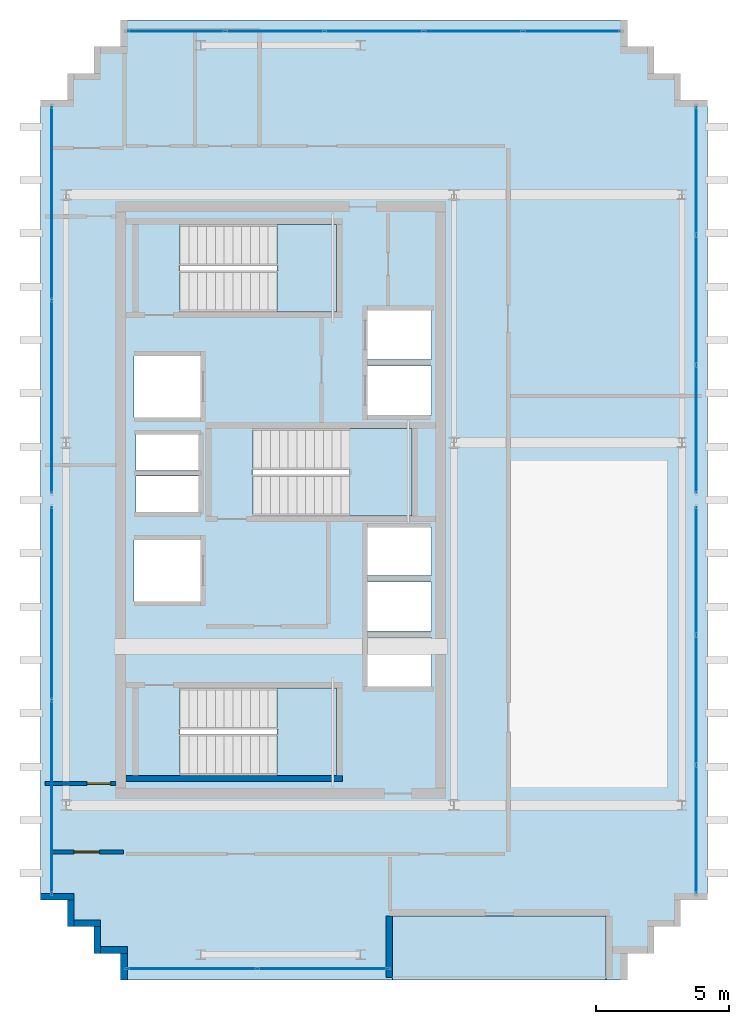
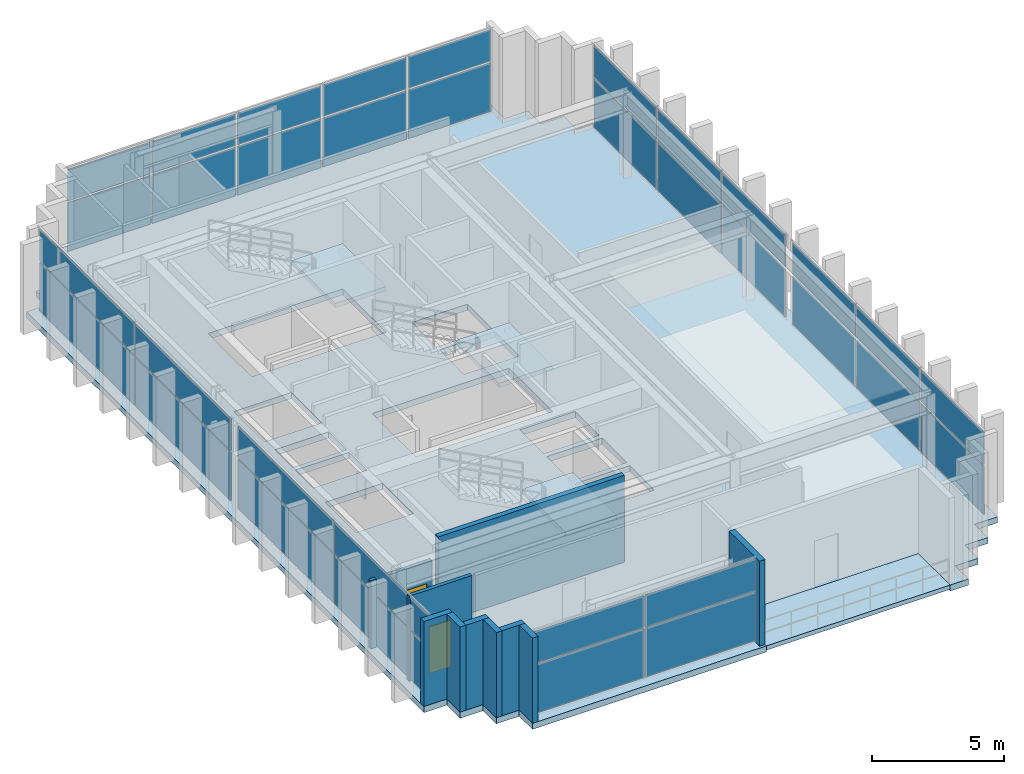
# One storey, part 10 of 14: 34 plates, 10 walls, 5 slabs, 2 doors, 2 openings, 9 elements without a shape of their own.
"""IFC4 building model written with IfcOpenShell, lengths in metres."""

from ifc_helpers import new_model, si_unit, direction, frame, frame_2d, origin, origin_2d, place, context, subcontext, project, spatial, polyline, rectangle, outline, extrude, source, transform, mapped, material, layer, layer_set, type_object, element, fill, aggregate, save


model = new_model("IFC4")

# Units and contexts
model_context = context("Model", 3, precision=1e-05, world=origin(), true_north=direction((0.0, 1.0)))
body_context = subcontext(model_context, "Body", "Model", "MODEL_VIEW")
ifc_project = project(units=[si_unit("LENGTHUNIT", "METRE"), si_unit("AREAUNIT", "SQUARE_METRE"), si_unit("VOLUMEUNIT", "CUBIC_METRE"), si_unit("PLANEANGLEUNIT", "RADIAN"), si_unit("MASSUNIT", "GRAM", prefix="KILO")], contexts=[model_context])

# Site, building, storey
site_placement = place(None, origin())
site = spatial("IfcSite", under=ifc_project, at=site_placement, CompositionType="ELEMENT")
building_placement = place(site_placement, origin())
building = spatial("IfcBuilding", under=site, at=building_placement, Name="Ocotamira Hotel", CompositionType="ELEMENT")
storey_placement = place(building_placement, frame((0.0, 0.0, 301.199951171875)))
storey = spatial("IfcBuildingStorey", under=building, at=storey_placement, Name="L77", CompositionType="ELEMENT", Elevation=301.199951171875)

# Slab
ifc_material_1 = material(Name="Concrete C40/50", Category="concrete")
ifc_layer_1 = layer(ifc_material_1, 0.199951171875)
ifc_layer_set_1 = layer_set([ifc_layer_1], Name="Concrete C40/50")
slab_type_1 = type_object("IfcSlabType", Name="SLB-BAL-200", PredefinedType="FLOOR", material=ifc_layer_set_1)
slab_1_placement = place(storey_placement, frame((0.0, 0.0, -0.199951171875)))
element("IfcSlab", 1, at=slab_1_placement, inside=storey, type_object=slab_type_1, Name="L77 Outdoor Sky Terrace Slab 1", PredefinedType="FLOOR", context=body_context, shape_type="SweptSolid", body=[
    extrude(outline(polyline([(21.199951171875, 8.0), (29.199951171875, 8.0), (29.199951171875, 10.39990234375), (21.199951171875, 10.39990234375), (21.199951171875, 8.0)])), origin(), (0.0, 0.0, 1.0), 0.199951171875),
])

# Stair, slab
stair_type = type_object("IfcStairType", Name="ST-CORE-1560", PredefinedType="HALF_TURN_STAIR", material=ifc_material_1)
stair_1_placement = place(storey_placement, origin())
stair_1 = element("IfcStair", 2, at=stair_1_placement, inside=storey, type_object=stair_type, Name="L77 Exit Stair ST-1", PredefinedType="HALF_TURN_STAIR")
ifc_layer_2 = layer(ifc_material_1, 0.199951171875)
ifc_layer_set_2 = layer_set([ifc_layer_2], Name="Concrete C40/50")
slab_type_2 = type_object("IfcSlabType", Name="SLB-LAND-200", PredefinedType="LANDING", material=ifc_layer_set_2)
slab_2_placement = place(storey_placement, frame((0.0, 0.0, 1.900146484375)))
slab_2 = element("IfcSlab", 3, at=slab_2_placement, type_object=slab_type_2, Name="ST-1 landing 1", PredefinedType="LANDING", context=body_context, shape_type="SweptSolid", body=[
    extrude(outline(polyline([(16.860107421875, 15.669921875), (19.090087890625, 15.669921875), (19.090087890625, 18.949951171875), (16.860107421875, 18.949951171875), (16.860107421875, 15.669921875)])), origin(), (0.0, 0.0, 1.0), 0.199951171875),
])
aggregate(stair_1, [slab_2])

stair_2_placement = place(storey_placement, origin())
stair_2 = element("IfcStair", 4, at=stair_2_placement, inside=storey, type_object=stair_type, Name="L77 Exit Stair ST-2", PredefinedType="HALF_TURN_STAIR")
slab_3_placement = place(storey_placement, frame((0.0, 0.0, 1.900146484375)))
slab_3 = element("IfcSlab", 5, at=slab_3_placement, type_object=slab_type_2, Name="ST-2 landing 1", PredefinedType="LANDING", context=body_context, shape_type="SweptSolid", body=[
    extrude(outline(polyline([(16.860107421875, 33.050048828125), (19.090087890625, 33.050048828125), (19.090087890625, 36.330078125), (16.860107421875, 36.330078125), (16.860107421875, 33.050048828125)])), origin(), (0.0, 0.0, 1.0), 0.199951171875),
])
aggregate(stair_2, [slab_3])

stair_3_placement = place(storey_placement, origin())
stair_3 = element("IfcStair", 6, at=stair_3_placement, inside=storey, type_object=stair_type, Name="L77 Exit Stair ST-3", PredefinedType="HALF_TURN_STAIR")
slab_4_placement = place(storey_placement, frame((0.0, 0.0, 1.900146484375)))
slab_4 = element("IfcSlab", 7, at=slab_4_placement, type_object=slab_type_2, Name="ST-3 landing 1", PredefinedType="LANDING", context=body_context, shape_type="SweptSolid", body=[
    extrude(outline(polyline([(19.590087890625, 25.39990234375), (21.919921875, 25.39990234375), (21.919921875, 28.679931640625), (19.590087890625, 28.679931640625), (19.590087890625, 25.39990234375)])), origin(), (0.0, 0.0, 1.0), 0.199951171875),
])
aggregate(stair_3, [slab_4])

# Slab
ifc_layer_3 = layer(ifc_material_1, 0.280029296875)
ifc_layer_set_3 = layer_set([ifc_layer_3], Name="Concrete C40/50")
slab_type_3 = type_object("IfcSlabType", Name="SLB-SKY-280", PredefinedType="FLOOR", material=ifc_layer_set_3)
slab_5_placement = place(storey_placement, frame((0.0, 0.0, -0.280029296875)))
element("IfcSlab", 8, at=slab_5_placement, inside=storey, type_object=slab_type_3, Name="L77 Structural Floor Slab", PredefinedType="FLOOR", context=body_context, shape_type="SweptSolid", body=[
    extrude(outline(polyline([(11.0, 8.0), (11.0, 9.0), (10.0, 9.0), (10.0, 10.0), (9.0, 10.0), (9.0, 11.0), (8.0, 11.0), (8.0, 41.0), (9.0, 41.0), (9.0, 42.0), (10.0, 42.0), (10.0, 43.0), (11.0, 43.0), (11.0, 44.0), (30.0, 44.0), (30.0, 43.0), (31.0, 43.0), (31.0, 42.0), (32.0, 42.0), (32.0, 41.0), (33.0, 41.0), (33.0, 11.0), (32.0, 11.0), (32.0, 10.0), (31.0, 10.0), (31.0, 9.0), (30.0, 9.0), (30.0, 8.0), (29.199951171875, 8.0), (29.199951171875, 10.39990234375), (21.199951171875, 10.39990234375), (21.199951171875, 8.0), (11.0, 8.0)]), holes=[polyline([(13.22998046875, 15.669921875), (19.090087890625, 15.669921875), (19.090087890625, 18.949951171875), (13.22998046875, 18.949951171875), (13.22998046875, 15.669921875)]), polyline([(13.22998046875, 33.050048828125), (19.090087890625, 33.050048828125), (19.090087890625, 36.330078125), (13.22998046875, 36.330078125), (13.22998046875, 33.050048828125)]), polyline([(15.9599609375, 25.39990234375), (21.919921875, 25.39990234375), (21.919921875, 28.679931640625), (15.9599609375, 28.679931640625), (15.9599609375, 25.39990234375)]), polyline([(20.25, 19.0), (22.659912109375, 19.0), (22.659912109375, 20.85009765625), (20.25, 20.85009765625), (20.25, 19.0)]), polyline([(20.25, 21.080078125), (22.659912109375, 21.080078125), (22.659912109375, 22.929931640625), (20.25, 22.929931640625), (20.25, 21.080078125)]), polyline([(20.25, 23.159912109375), (22.659912109375, 23.159912109375), (22.659912109375, 24.9599609375), (20.25, 24.9599609375), (20.25, 23.159912109375)]), polyline([(20.25, 29.179931640625), (22.659912109375, 29.179931640625), (22.659912109375, 31.030029296875), (20.25, 31.030029296875), (20.25, 29.179931640625)]), polyline([(20.25, 31.260009765625), (22.659912109375, 31.260009765625), (22.659912109375, 33.110107421875), (20.25, 33.110107421875), (20.25, 31.260009765625)]), polyline([(11.5, 22.199951171875), (14.0, 22.199951171875), (14.0, 24.5), (11.5, 24.5), (11.5, 22.199951171875)]), polyline([(11.5, 29.10009765625), (14.0, 29.10009765625), (14.0, 31.39990234375), (11.5, 31.39990234375), (11.5, 29.10009765625)]), polyline([(11.580078125, 25.550048828125), (13.919921875, 25.550048828125), (13.919921875, 26.89990234375), (11.580078125, 26.89990234375), (11.580078125, 25.550048828125)]), polyline([(11.580078125, 27.10009765625), (13.919921875, 27.10009765625), (13.919921875, 28.449951171875), (11.580078125, 28.449951171875), (11.580078125, 27.10009765625)])]), origin(), (0.0, 0.0, 1.0), 0.280029296875),
])

# Curtain wall, plates
ifc_material_2 = material(Name="Anodised pale-metal aluminium and solar glass", Category="aluminium")
ifc_layer_4 = layer(ifc_material_2, 0.2099609375)
ifc_layer_set_4 = layer_set([ifc_layer_4], Name="Anodised pale-metal aluminium and solar glass")
curtain_wall_type = type_object("IfcCurtainWallType", Name="CW-SYS7-PEAK", PredefinedType="NOTDEFINED", material=ifc_layer_set_4)
curtain_wall_1_placement = place(storey_placement, origin())
curtain_wall_1 = element("IfcCurtainWall", 9, at=curtain_wall_1_placement, inside=storey, type_object=curtain_wall_type, Name="L77 Curtain Wall CW-7 CW-L77-W1", PredefinedType="NOTDEFINED")
ifc_material_3 = material(Name="Double-silver low-E insulated solar glass", Category="glass")
ifc_layer_5 = layer(ifc_material_3, 0.031982421875)
ifc_layer_set_5 = layer_set([ifc_layer_5], Name="Double-silver low-E insulated solar glass")
plate_type = type_object("IfcPlateType", Name="CWP-VISION-32", PredefinedType="CURTAIN_PANEL", material=ifc_layer_set_5)
shared_shape_1 = source(origin(), body_context, "Body", "SweptSolid", [
    extrude(rectangle(XDim=7.179931640625, YDim=0.031982421875, at=origin_2d()), origin(), (0.0, 0.0, 1.0), 2.237548828125),
])
plate_1_placement = place(storey_placement, frame((8.419921875, 14.8701171875, 0.0751953125), z_axis=(0.0, 0.0, 1.0), x_axis=(0.0, 1.0, 0.0)))
plate_1 = element("IfcPlate", 10, at=plate_1_placement, type_object=plate_type, Name="CW-7 panel 1.1", PredefinedType="CURTAIN_PANEL", context=body_context, shape_type="MappedRepresentation", body=[
    mapped(shared_shape_1, transform((0.0, 0.0, 0.0), scale=1.0)),
])
plate_2_placement = place(storey_placement, frame((8.419921875, 22.1298828125, 0.0751953125), z_axis=(0.0, 0.0, 1.0), x_axis=(0.0, 1.0, 0.0)))
plate_2 = element("IfcPlate", 11, at=plate_2_placement, type_object=plate_type, Name="CW-7 panel 2.1", PredefinedType="CURTAIN_PANEL", context=body_context, shape_type="MappedRepresentation", body=[
    mapped(shared_shape_1, transform((0.0, 0.0, 0.0), scale=1.0)),
])

curtain_wall_2_placement = place(storey_placement, origin())
curtain_wall_2 = element("IfcCurtainWall", 12, at=curtain_wall_2_placement, inside=storey, type_object=curtain_wall_type, Name="L77 Curtain Wall CW-7 CW-L77-W2", PredefinedType="NOTDEFINED")
plate_3_placement = place(storey_placement, frame((8.419921875, 29.8701171875, 0.0751953125), z_axis=(0.0, 0.0, 1.0), x_axis=(0.0, 1.0, 0.0)))
plate_3 = element("IfcPlate", 13, at=plate_3_placement, type_object=plate_type, Name="CW-7 panel 1.1", PredefinedType="CURTAIN_PANEL", context=body_context, shape_type="MappedRepresentation", body=[
    mapped(shared_shape_1, transform((0.0, 0.0, 0.0), scale=1.0)),
])
plate_4_placement = place(storey_placement, frame((8.419921875, 37.1298828125, 0.0751953125), z_axis=(0.0, 0.0, 1.0), x_axis=(0.0, 1.0, 0.0)))
plate_4 = element("IfcPlate", 14, at=plate_4_placement, type_object=plate_type, Name="CW-7 panel 2.1", PredefinedType="CURTAIN_PANEL", context=body_context, shape_type="MappedRepresentation", body=[
    mapped(shared_shape_1, transform((0.0, 0.0, 0.0), scale=1.0)),
])

curtain_wall_3_placement = place(storey_placement, origin())
curtain_wall_3 = element("IfcCurtainWall", 15, at=curtain_wall_3_placement, inside=storey, type_object=curtain_wall_type, Name="L77 Curtain Wall CW-7 CW-L77-N", PredefinedType="NOTDEFINED")
shared_shape_2 = source(origin(), body_context, "Body", "SweptSolid", [
    extrude(rectangle(XDim=3.60009765625, YDim=0.031982421875, at=origin_2d()), origin(), (0.0, 0.0, 1.0), 2.237548828125),
])
plate_5_placement = place(storey_placement, frame((13.080078125, 43.580078125, 0.0751953125), z_axis=(0.0, 0.0, 1.0), x_axis=(1.0, 0.0, 0.0)))
plate_5 = element("IfcPlate", 16, at=plate_5_placement, type_object=plate_type, Name="CW-7 panel 1.1", PredefinedType="CURTAIN_PANEL", context=body_context, shape_type="MappedRepresentation", body=[
    mapped(shared_shape_2, transform((0.0, 0.0, 0.0), scale=1.0)),
])
plate_6_placement = place(storey_placement, frame((27.919921875, 43.580078125, 0.0751953125), z_axis=(0.0, 0.0, 1.0), x_axis=(1.0, 0.0, 0.0)))
plate_6 = element("IfcPlate", 17, at=plate_6_placement, type_object=plate_type, Name="CW-7 panel 5.1", PredefinedType="CURTAIN_PANEL", context=body_context, shape_type="MappedRepresentation", body=[
    mapped(shared_shape_2, transform((0.0, 0.0, 0.0), scale=1.0)),
])
shared_shape_3 = source(origin(), body_context, "Body", "SweptSolid", [
    extrude(rectangle(XDim=3.639892578125, YDim=0.031982421875, at=origin_2d()), origin(), (0.0, 0.0, 1.0), 2.237548828125),
])
plate_7_placement = place(storey_placement, frame((16.780029296875, 43.580078125, 0.0751953125), z_axis=(0.0, 0.0, 1.0), x_axis=(1.0, 0.0, 0.0)))
plate_7 = element("IfcPlate", 18, at=plate_7_placement, type_object=plate_type, Name="CW-7 panel 2.1", PredefinedType="CURTAIN_PANEL", context=body_context, shape_type="MappedRepresentation", body=[
    mapped(shared_shape_3, transform((0.0, 0.0, 0.0), scale=1.0)),
])
plate_8_placement = place(storey_placement, frame((20.5, 43.580078125, 0.0751953125), z_axis=(0.0, 0.0, 1.0), x_axis=(1.0, 0.0, 0.0)))
plate_8 = element("IfcPlate", 19, at=plate_8_placement, type_object=plate_type, Name="CW-7 panel 3.1", PredefinedType="CURTAIN_PANEL", context=body_context, shape_type="MappedRepresentation", body=[
    mapped(shared_shape_3, transform((0.0, 0.0, 0.0), scale=1.0)),
])
plate_9_placement = place(storey_placement, frame((24.219970703125, 43.580078125, 0.0751953125), z_axis=(0.0, 0.0, 1.0), x_axis=(1.0, 0.0, 0.0)))
plate_9 = element("IfcPlate", 20, at=plate_9_placement, type_object=plate_type, Name="CW-7 panel 4.1", PredefinedType="CURTAIN_PANEL", context=body_context, shape_type="MappedRepresentation", body=[
    mapped(shared_shape_3, transform((0.0, 0.0, 0.0), scale=1.0)),
])

curtain_wall_4_placement = place(storey_placement, origin())
curtain_wall_4 = element("IfcCurtainWall", 21, at=curtain_wall_4_placement, inside=storey, type_object=curtain_wall_type, Name="L77 Curtain Wall CW-7 CW-L77-E1", PredefinedType="NOTDEFINED")
shared_shape_4 = source(origin(), body_context, "Body", "SweptSolid", [
    extrude(rectangle(XDim=4.74658203125, YDim=0.031982421875, at=origin_2d()), origin(), (0.0, 0.0, 1.0), 2.237548828125),
])
plate_10_placement = place(storey_placement, frame((32.580078125, 13.6533203125, 0.0751953125), z_axis=(0.0, 0.0, 1.0), x_axis=(0.0, 1.0, 0.0)))
plate_10 = element("IfcPlate", 22, at=plate_10_placement, type_object=plate_type, Name="CW-7 panel 1.1", PredefinedType="CURTAIN_PANEL", context=body_context, shape_type="MappedRepresentation", body=[
    mapped(shared_shape_4, transform((0.0, 0.0, 0.0), scale=1.0)),
])
plate_11_placement = place(storey_placement, frame((32.580078125, 23.3466796875, 0.0751953125), z_axis=(0.0, 0.0, 1.0), x_axis=(0.0, 1.0, 0.0)))
plate_11 = element("IfcPlate", 23, at=plate_11_placement, type_object=plate_type, Name="CW-7 panel 3.1", PredefinedType="CURTAIN_PANEL", context=body_context, shape_type="MappedRepresentation", body=[
    mapped(shared_shape_4, transform((0.0, 0.0, 0.0), scale=1.0)),
])

curtain_wall_5_placement = place(storey_placement, origin())
curtain_wall_5 = element("IfcCurtainWall", 24, at=curtain_wall_5_placement, inside=storey, type_object=curtain_wall_type, Name="L77 Curtain Wall CW-7 CW-L77-E2", PredefinedType="NOTDEFINED")
plate_12_placement = place(storey_placement, frame((32.580078125, 28.6533203125, 0.0751953125), z_axis=(0.0, 0.0, 1.0), x_axis=(0.0, 1.0, 0.0)))
plate_12 = element("IfcPlate", 25, at=plate_12_placement, type_object=plate_type, Name="CW-7 panel 1.1", PredefinedType="CURTAIN_PANEL", context=body_context, shape_type="MappedRepresentation", body=[
    mapped(shared_shape_4, transform((0.0, 0.0, 0.0), scale=1.0)),
])
plate_13_placement = place(storey_placement, frame((32.580078125, 38.3466796875, 0.0751953125), z_axis=(0.0, 0.0, 1.0), x_axis=(0.0, 1.0, 0.0)))
plate_13 = element("IfcPlate", 26, at=plate_13_placement, type_object=plate_type, Name="CW-7 panel 3.1", PredefinedType="CURTAIN_PANEL", context=body_context, shape_type="MappedRepresentation", body=[
    mapped(shared_shape_4, transform((0.0, 0.0, 0.0), scale=1.0)),
])

# Plate
shared_shape_5 = source(origin(), body_context, "Body", "SweptSolid", [
    extrude(rectangle(XDim=4.78662109375, YDim=0.031982421875, at=origin_2d()), origin(), (0.0, 0.0, 1.0), 2.237548828125),
])
plate_14_placement = place(storey_placement, frame((32.580078125, 18.5, 0.0751953125), z_axis=(0.0, 0.0, 1.0), x_axis=(0.0, 1.0, 0.0)))
plate_14 = element("IfcPlate", 27, at=plate_14_placement, type_object=plate_type, Name="CW-7 panel 2.1", PredefinedType="CURTAIN_PANEL", context=body_context, shape_type="MappedRepresentation", body=[
    mapped(shared_shape_5, transform((0.0, 0.0, 0.0), scale=1.0)),
])

plate_15_placement = place(storey_placement, frame((32.580078125, 33.5, 0.0751953125), z_axis=(0.0, 0.0, 1.0), x_axis=(0.0, 1.0, 0.0)))
plate_15 = element("IfcPlate", 28, at=plate_15_placement, type_object=plate_type, Name="CW-7 panel 2.1", PredefinedType="CURTAIN_PANEL", context=body_context, shape_type="MappedRepresentation", body=[
    mapped(shared_shape_5, transform((0.0, 0.0, 0.0), scale=1.0)),
])

# Curtain wall, plates
curtain_wall_6_placement = place(storey_placement, origin())
curtain_wall_6 = element("IfcCurtainWall", 29, at=curtain_wall_6_placement, inside=storey, type_object=curtain_wall_type, Name="L77 Curtain Wall CW-7 CW-L77-S1", PredefinedType="NOTDEFINED")
shared_shape_6 = source(origin(), body_context, "Body", "SweptSolid", [
    extrude(rectangle(XDim=4.804931640625, YDim=0.031982421875, at=origin_2d()), origin(), (0.0, 0.0, 1.0), 2.237548828125),
])
plate_16_placement = place(storey_placement, frame((13.6826171875, 8.419921875, 0.0751953125), z_axis=(0.0, 0.0, 1.0), x_axis=(1.0, 0.0, 0.0)))
plate_16 = element("IfcPlate", 30, at=plate_16_placement, type_object=plate_type, Name="CW-7 panel 1.1", PredefinedType="CURTAIN_PANEL", context=body_context, shape_type="MappedRepresentation", body=[
    mapped(shared_shape_6, transform((0.0, 0.0, 0.0), scale=1.0)),
])
plate_17_placement = place(storey_placement, frame((18.5673828125, 8.419921875, 0.0751953125), z_axis=(0.0, 0.0, 1.0), x_axis=(1.0, 0.0, 0.0)))
plate_17 = element("IfcPlate", 31, at=plate_17_placement, type_object=plate_type, Name="CW-7 panel 2.1", PredefinedType="CURTAIN_PANEL", context=body_context, shape_type="MappedRepresentation", body=[
    mapped(shared_shape_6, transform((0.0, 0.0, 0.0), scale=1.0)),
])
shared_shape_7 = source(origin(), body_context, "Body", "SweptSolid", [
    extrude(rectangle(XDim=4.804931640625, YDim=0.031982421875, at=origin_2d()), origin(), (0.0, 0.0, 1.0), 1.45751953125),
])
plate_18_placement = place(storey_placement, frame((13.6826171875, 8.419921875, 2.387451171875), z_axis=(0.0, 0.0, 1.0), x_axis=(1.0, 0.0, 0.0)))
plate_18 = element("IfcPlate", 32, at=plate_18_placement, type_object=plate_type, Name="CW-7 panel 1.2", PredefinedType="CURTAIN_PANEL", context=body_context, shape_type="MappedRepresentation", body=[
    mapped(shared_shape_7, transform((0.0, 0.0, 0.0), scale=1.0)),
])
plate_19_placement = place(storey_placement, frame((18.5673828125, 8.419921875, 2.387451171875), z_axis=(0.0, 0.0, 1.0), x_axis=(1.0, 0.0, 0.0)))
plate_19 = element("IfcPlate", 33, at=plate_19_placement, type_object=plate_type, Name="CW-7 panel 2.2", PredefinedType="CURTAIN_PANEL", context=body_context, shape_type="MappedRepresentation", body=[
    mapped(shared_shape_7, transform((0.0, 0.0, 0.0), scale=1.0)),
])
aggregate(curtain_wall_6, [plate_16, plate_18, plate_17, plate_19])

# Plate
shared_shape_8 = source(origin(), body_context, "Body", "SweptSolid", [
    extrude(rectangle(XDim=3.60009765625, YDim=0.031982421875, at=origin_2d()), origin(), (0.0, 0.0, 1.0), 1.45751953125),
])
plate_20_placement = place(storey_placement, frame((13.080078125, 43.580078125, 2.387451171875), z_axis=(0.0, 0.0, 1.0), x_axis=(1.0, 0.0, 0.0)))
plate_20 = element("IfcPlate", 34, at=plate_20_placement, type_object=plate_type, Name="CW-7 panel 1.2", PredefinedType="CURTAIN_PANEL", context=body_context, shape_type="MappedRepresentation", body=[
    mapped(shared_shape_8, transform((0.0, 0.0, 0.0), scale=1.0)),
])

plate_21_placement = place(storey_placement, frame((27.919921875, 43.580078125, 2.387451171875), z_axis=(0.0, 0.0, 1.0), x_axis=(1.0, 0.0, 0.0)))
plate_21 = element("IfcPlate", 35, at=plate_21_placement, type_object=plate_type, Name="CW-7 panel 5.2", PredefinedType="CURTAIN_PANEL", context=body_context, shape_type="MappedRepresentation", body=[
    mapped(shared_shape_8, transform((0.0, 0.0, 0.0), scale=1.0)),
])

shared_shape_9 = source(origin(), body_context, "Body", "SweptSolid", [
    extrude(rectangle(XDim=3.639892578125, YDim=0.031982421875, at=origin_2d()), origin(), (0.0, 0.0, 1.0), 1.45751953125),
])
plate_22_placement = place(storey_placement, frame((16.780029296875, 43.580078125, 2.387451171875), z_axis=(0.0, 0.0, 1.0), x_axis=(1.0, 0.0, 0.0)))
plate_22 = element("IfcPlate", 36, at=plate_22_placement, type_object=plate_type, Name="CW-7 panel 2.2", PredefinedType="CURTAIN_PANEL", context=body_context, shape_type="MappedRepresentation", body=[
    mapped(shared_shape_9, transform((0.0, 0.0, 0.0), scale=1.0)),
])

plate_23_placement = place(storey_placement, frame((20.5, 43.580078125, 2.387451171875), z_axis=(0.0, 0.0, 1.0), x_axis=(1.0, 0.0, 0.0)))
plate_23 = element("IfcPlate", 37, at=plate_23_placement, type_object=plate_type, Name="CW-7 panel 3.2", PredefinedType="CURTAIN_PANEL", context=body_context, shape_type="MappedRepresentation", body=[
    mapped(shared_shape_9, transform((0.0, 0.0, 0.0), scale=1.0)),
])

plate_24_placement = place(storey_placement, frame((24.219970703125, 43.580078125, 2.387451171875), z_axis=(0.0, 0.0, 1.0), x_axis=(1.0, 0.0, 0.0)))
plate_24 = element("IfcPlate", 38, at=plate_24_placement, type_object=plate_type, Name="CW-7 panel 4.2", PredefinedType="CURTAIN_PANEL", context=body_context, shape_type="MappedRepresentation", body=[
    mapped(shared_shape_9, transform((0.0, 0.0, 0.0), scale=1.0)),
])

aggregate(curtain_wall_3, [plate_5, plate_20, plate_7, plate_22, plate_8, plate_23, plate_9, plate_24, plate_6, plate_21])

shared_shape_10 = source(origin(), body_context, "Body", "SweptSolid", [
    extrude(rectangle(XDim=7.179931640625, YDim=0.031982421875, at=origin_2d()), origin(), (0.0, 0.0, 1.0), 1.45751953125),
])
plate_25_placement = place(storey_placement, frame((8.419921875, 14.8701171875, 2.387451171875), z_axis=(0.0, 0.0, 1.0), x_axis=(0.0, 1.0, 0.0)))
plate_25 = element("IfcPlate", 39, at=plate_25_placement, type_object=plate_type, Name="CW-7 panel 1.2", PredefinedType="CURTAIN_PANEL", context=body_context, shape_type="MappedRepresentation", body=[
    mapped(shared_shape_10, transform((0.0, 0.0, 0.0), scale=1.0)),
])

plate_26_placement = place(storey_placement, frame((8.419921875, 22.1298828125, 2.387451171875), z_axis=(0.0, 0.0, 1.0), x_axis=(0.0, 1.0, 0.0)))
plate_26 = element("IfcPlate", 40, at=plate_26_placement, type_object=plate_type, Name="CW-7 panel 2.2", PredefinedType="CURTAIN_PANEL", context=body_context, shape_type="MappedRepresentation", body=[
    mapped(shared_shape_10, transform((0.0, 0.0, 0.0), scale=1.0)),
])

aggregate(curtain_wall_1, [plate_1, plate_25, plate_2, plate_26])

plate_27_placement = place(storey_placement, frame((8.419921875, 29.8701171875, 2.387451171875), z_axis=(0.0, 0.0, 1.0), x_axis=(0.0, 1.0, 0.0)))
plate_27 = element("IfcPlate", 41, at=plate_27_placement, type_object=plate_type, Name="CW-7 panel 1.2", PredefinedType="CURTAIN_PANEL", context=body_context, shape_type="MappedRepresentation", body=[
    mapped(shared_shape_10, transform((0.0, 0.0, 0.0), scale=1.0)),
])

plate_28_placement = place(storey_placement, frame((8.419921875, 37.1298828125, 2.387451171875), z_axis=(0.0, 0.0, 1.0), x_axis=(0.0, 1.0, 0.0)))
plate_28 = element("IfcPlate", 42, at=plate_28_placement, type_object=plate_type, Name="CW-7 panel 2.2", PredefinedType="CURTAIN_PANEL", context=body_context, shape_type="MappedRepresentation", body=[
    mapped(shared_shape_10, transform((0.0, 0.0, 0.0), scale=1.0)),
])

aggregate(curtain_wall_2, [plate_3, plate_27, plate_4, plate_28])

shared_shape_11 = source(origin(), body_context, "Body", "SweptSolid", [
    extrude(rectangle(XDim=4.74658203125, YDim=0.031982421875, at=origin_2d()), origin(), (0.0, 0.0, 1.0), 1.45751953125),
])
plate_29_placement = place(storey_placement, frame((32.580078125, 13.6533203125, 2.387451171875), z_axis=(0.0, 0.0, 1.0), x_axis=(0.0, 1.0, 0.0)))
plate_29 = element("IfcPlate", 43, at=plate_29_placement, type_object=plate_type, Name="CW-7 panel 1.2", PredefinedType="CURTAIN_PANEL", context=body_context, shape_type="MappedRepresentation", body=[
    mapped(shared_shape_11, transform((0.0, 0.0, 0.0), scale=1.0)),
])

plate_30_placement = place(storey_placement, frame((32.580078125, 23.3466796875, 2.387451171875), z_axis=(0.0, 0.0, 1.0), x_axis=(0.0, 1.0, 0.0)))
plate_30 = element("IfcPlate", 44, at=plate_30_placement, type_object=plate_type, Name="CW-7 panel 3.2", PredefinedType="CURTAIN_PANEL", context=body_context, shape_type="MappedRepresentation", body=[
    mapped(shared_shape_11, transform((0.0, 0.0, 0.0), scale=1.0)),
])

plate_31_placement = place(storey_placement, frame((32.580078125, 28.6533203125, 2.387451171875), z_axis=(0.0, 0.0, 1.0), x_axis=(0.0, 1.0, 0.0)))
plate_31 = element("IfcPlate", 45, at=plate_31_placement, type_object=plate_type, Name="CW-7 panel 1.2", PredefinedType="CURTAIN_PANEL", context=body_context, shape_type="MappedRepresentation", body=[
    mapped(shared_shape_11, transform((0.0, 0.0, 0.0), scale=1.0)),
])

plate_32_placement = place(storey_placement, frame((32.580078125, 38.3466796875, 2.387451171875), z_axis=(0.0, 0.0, 1.0), x_axis=(0.0, 1.0, 0.0)))
plate_32 = element("IfcPlate", 46, at=plate_32_placement, type_object=plate_type, Name="CW-7 panel 3.2", PredefinedType="CURTAIN_PANEL", context=body_context, shape_type="MappedRepresentation", body=[
    mapped(shared_shape_11, transform((0.0, 0.0, 0.0), scale=1.0)),
])

shared_shape_12 = source(origin(), body_context, "Body", "SweptSolid", [
    extrude(rectangle(XDim=4.78662109375, YDim=0.031982421875, at=origin_2d()), origin(), (0.0, 0.0, 1.0), 1.45751953125),
])
plate_33_placement = place(storey_placement, frame((32.580078125, 18.5, 2.387451171875), z_axis=(0.0, 0.0, 1.0), x_axis=(0.0, 1.0, 0.0)))
plate_33 = element("IfcPlate", 47, at=plate_33_placement, type_object=plate_type, Name="CW-7 panel 2.2", PredefinedType="CURTAIN_PANEL", context=body_context, shape_type="MappedRepresentation", body=[
    mapped(shared_shape_12, transform((0.0, 0.0, 0.0), scale=1.0)),
])

aggregate(curtain_wall_4, [plate_10, plate_29, plate_14, plate_33, plate_11, plate_30])

plate_34_placement = place(storey_placement, frame((32.580078125, 33.5, 2.387451171875), z_axis=(0.0, 0.0, 1.0), x_axis=(0.0, 1.0, 0.0)))
plate_34 = element("IfcPlate", 48, at=plate_34_placement, type_object=plate_type, Name="CW-7 panel 2.2", PredefinedType="CURTAIN_PANEL", context=body_context, shape_type="MappedRepresentation", body=[
    mapped(shared_shape_12, transform((0.0, 0.0, 0.0), scale=1.0)),
])

aggregate(curtain_wall_5, [plate_12, plate_31, plate_15, plate_34, plate_13, plate_32])

# Walls
ifc_material_4 = material(Name="Precast concrete C45/55", Category="concrete")
ifc_layer_6 = layer(ifc_material_4, 0.25)
ifc_layer_set_6 = layer_set([ifc_layer_6], Name="Precast concrete C45/55")
wall_type_1 = type_object("IfcWallType", Name="WL-EXT-SER-250", PredefinedType="SOLIDWALL", material=ifc_layer_set_6)
wall_1_placement = place(storey_placement, frame((8.0, 11.125, 0.0), z_axis=(0.0, 0.0, 1.0), x_axis=(1.0, 0.0, 0.0)))
element("IfcWall", 49, at=wall_1_placement, inside=storey, type_object=wall_type_1, Name="L77 Serrated Corner Wall 19", PredefinedType="SOLIDWALL", context=body_context, shape_type="SweptSolid", body=[
    extrude(rectangle(XDim=1.25, YDim=0.25, at=frame_2d((0.625, 0.0))), origin(), (0.0, 0.0, 1.0), 3.920166015625),
])
for number, where, z_axis, x_axis, name in (
    (50, (9.125, 11.0, 0.0), (0.0, 0.0, 1.0), (0.0, -1.0, 0.0), "L77 Serrated Corner Wall 20"),
    (51, (9.25, 10.125, 0.0), (0.0, 0.0, 1.0), (1.0, 0.0, 0.0), "L77 Serrated Corner Wall 21"),
    (52, (10.125, 10.0, 0.0), (0.0, 0.0, 1.0), (0.0, -1.0, 0.0), "L77 Serrated Corner Wall 22"),
    (53, (10.25, 9.125, 0.0), (0.0, 0.0, 1.0), (1.0, 0.0, 0.0), "L77 Serrated Corner Wall 23"),
    (54, (11.125, 9.0, 0.0), (0.0, 0.0, 1.0), (0.0, -1.0, 0.0), "L77 Serrated Corner Wall 24"),
):
    element("IfcWall", number, at=place(storey_placement, frame(where, z_axis=z_axis, x_axis=x_axis)), inside=storey, type_object=wall_type_1, Name=name, PredefinedType="SOLIDWALL", context=body_context, shape_type="SweptSolid", body=[
        extrude(rectangle(XDim=1.0, YDim=0.25, at=frame_2d((0.5, 0.0))), origin(), (0.0, 0.0, 1.0), 3.920166015625),
    ])
wall_2_placement = place(storey_placement, frame((21.074951171875, 8.10009765625, 0.0), z_axis=(0.0, 0.0, 1.0), x_axis=(0.0, 1.0, 0.0)))
element("IfcWall", 55, at=wall_2_placement, inside=storey, type_object=wall_type_1, Name="L77 Sky Terrace Return Wall 1L", PredefinedType="SOLIDWALL", context=body_context, shape_type="SweptSolid", body=[
    extrude(rectangle(XDim=2.2998046875, YDim=0.25, at=frame_2d((1.14990234375, 0.0))), origin(), (0.0, 0.0, 1.0), 3.920166015625),
])

# Wall, opening, door
ifc_material_5 = material(Name="Acoustic double-layer fire gypsum board partition", Category="gypsum")
ifc_layer_7 = layer(ifc_material_5, 0.159912109375)
ifc_layer_set_7 = layer_set([ifc_layer_7], Name="Acoustic double-layer fire gypsum board partition")
wall_type_2 = type_object("IfcWallType", Name="WL-FIRE-160", PredefinedType="PARTITIONING", material=ifc_layer_set_7)
wall_3_placement = place(storey_placement, frame((8.35009765625, 12.800048828125, 0.0), z_axis=(0.0, 0.0, 1.0), x_axis=(1.0, 0.0, 0.0)))
wall_3 = element("IfcWall", 56, at=wall_3_placement, inside=storey, type_object=wall_type_2, Name="L77 Interior Wall PW-L77-L77-OBCSW-CW", PredefinedType="PARTITIONING", context=body_context, shape_type="SweptSolid", body=[
    extrude(rectangle(XDim=2.75, YDim=0.159912109375, at=frame_2d((1.375, 0.0))), origin(), (0.0, 0.0, 1.0), 3.920166015625),
])
opening_1_placement = place(wall_3_placement, frame((0.89501953125, 0.0, 0.0)))
opening_1 = element("IfcOpeningElement", 57, at=opening_1_placement, cuts=wall_3, Name="Opening D-SV4", PredefinedType="OPENING", context=body_context, shape_type="SweptSolid", body=[
    extrude(rectangle(XDim=0.9599609375, YDim=2.14990234375, at=frame_2d((0.47998046875, 1.074951171875))), frame((0.0, 0.08984375, 0.0), z_axis=(0.0, -1.0, 0.0), x_axis=(1.0, 0.0, 0.0)), (0.0, 0.0, 1.0), 0.179931640625),
])
ifc_material_6 = material(Name="Fire-rated accessible walnut salon door", Category="wood")
door_type_1 = type_object("IfcDoorType", Name="DR-SERV-960", OperationType="NOTDEFINED", PredefinedType="DOOR", material=ifc_material_6)
shared_shape_13 = source(origin(), body_context, "Body", "SweptSolid", [
    extrude(rectangle(XDim=0.9599609375, YDim=2.14990234375, at=frame_2d((0.47998046875, 1.074951171875))), frame((0.0, 0.02490234375, 0.0), z_axis=(0.0, -1.0, 0.0), x_axis=(1.0, 0.0, 0.0)), (0.0, 0.0, 1.0), 0.050048828125),
])
door_1_placement = place(opening_1_placement, origin())
door_1 = element("IfcDoor", 58, at=door_1_placement, inside=storey, type_object=door_type_1, Name="L77 Door ID-L77-L77-OBCSW-CD [ID-L77-L77-OBCSW-CD]", OperationType="SINGLE_SWING_LEFT", OverallHeight=2.14990234375, OverallWidth=0.9599609375, PredefinedType="DOOR", context=body_context, shape_type="MappedRepresentation", body=[
    mapped(shared_shape_13, transform((0.0, 0.0, 0.0), scale=1.0)),
])
fill(opening_1, door_1)

ifc_material_7 = material(Name="Acoustic hospitality gypsum board partition", Category="gypsum")
ifc_layer_8 = layer(ifc_material_7, 0.14990234375)
ifc_layer_set_8 = layer_set([ifc_layer_8], Name="Acoustic hospitality gypsum board partition")
wall_type_3 = type_object("IfcWallType", Name="WL-PART-150", PredefinedType="PARTITIONING", material=ifc_layer_set_8)
wall_4_placement = place(storey_placement, frame((8.159912109375, 15.360107421875, 0.0), z_axis=(0.0, 0.0, 1.0), x_axis=(1.0, 0.0, 0.0)))
wall_4 = element("IfcWall", 59, at=wall_4_placement, inside=storey, type_object=wall_type_3, Name="L77 Interior Wall PW-L77-L77W-WS", PredefinedType="PARTITIONING", context=body_context, shape_type="SweptSolid", body=[
    extrude(rectangle(XDim=2.66015625, YDim=0.14990234375, at=frame_2d((1.330078125, 0.0))), origin(), (0.0, 0.0, 1.0), 3.14111328125),
])
opening_2_placement = place(wall_4_placement, frame((1.580078125, 0.0, 0.0)))
opening_2 = element("IfcOpeningElement", 60, at=opening_2_placement, cuts=wall_4, Name="Opening D-SV2", PredefinedType="OPENING", context=body_context, shape_type="SweptSolid", body=[
    extrude(rectangle(XDim=0.8798828125, YDim=2.14990234375, at=frame_2d((0.43994140625, 1.074951171875))), frame((0.0, 0.0849609375, 0.0), z_axis=(0.0, -1.0, 0.0), x_axis=(1.0, 0.0, 0.0)), (0.0, 0.0, 1.0), 0.169921875),
])
ifc_material_8 = material(Name="Fire-rated painted steel service door", Category="steel")
door_type_2 = type_object("IfcDoorType", Name="DR-SERV-880", OperationType="NOTDEFINED", PredefinedType="DOOR", material=ifc_material_8)
shared_shape_14 = source(origin(), body_context, "Body", "SweptSolid", [
    extrude(rectangle(XDim=0.8798828125, YDim=2.14990234375, at=frame_2d((0.43994140625, 1.074951171875))), frame((0.0, 0.02490234375, 0.0), z_axis=(0.0, -1.0, 0.0), x_axis=(1.0, 0.0, 0.0)), (0.0, 0.0, 1.0), 0.050048828125),
])
door_2_placement = place(opening_2_placement, origin())
door_2 = element("IfcDoor", 61, at=door_2_placement, inside=storey, type_object=door_type_2, Name="L77 Door ID-L77-L77W-DS [ID-L77-L77W-DS]", OperationType="SINGLE_SWING_LEFT", OverallHeight=2.14990234375, OverallWidth=0.8798828125, PredefinedType="DOOR", context=body_context, shape_type="MappedRepresentation", body=[
    mapped(shared_shape_14, transform((0.0, 0.0, 0.0), scale=1.0)),
])
fill(opening_2, door_2)

# Wall
ifc_material_9 = material(Name="Concrete C50/60", Category="concrete")
ifc_layer_9 = layer(ifc_material_9, 0.219970703125)
ifc_layer_set_9 = layer_set([ifc_layer_9], Name="Concrete C50/60")
wall_type_4 = type_object("IfcWallType", Name="WL-STAIR-220", PredefinedType="SHEAR", material=ifc_layer_set_9)
wall_5_placement = place(storey_placement, frame((11.199951171875, 15.56005859375, 0.0), z_axis=(0.0, 0.0, 1.0), x_axis=(1.0, 0.0, 0.0)))
element("IfcWall", 62, at=wall_5_placement, inside=storey, type_object=wall_type_4, Name="L77 Stair Shaft Structural Wall ST-1-S", PredefinedType="SHEAR", context=body_context, shape_type="SweptSolid", body=[
    extrude(rectangle(XDim=8.110107421875, YDim=0.219970703125, at=frame_2d((4.05517578125, 0.0))), origin(), (0.0, 0.0, 1.0), 4.0),
])

save(model, "model.ifc")
